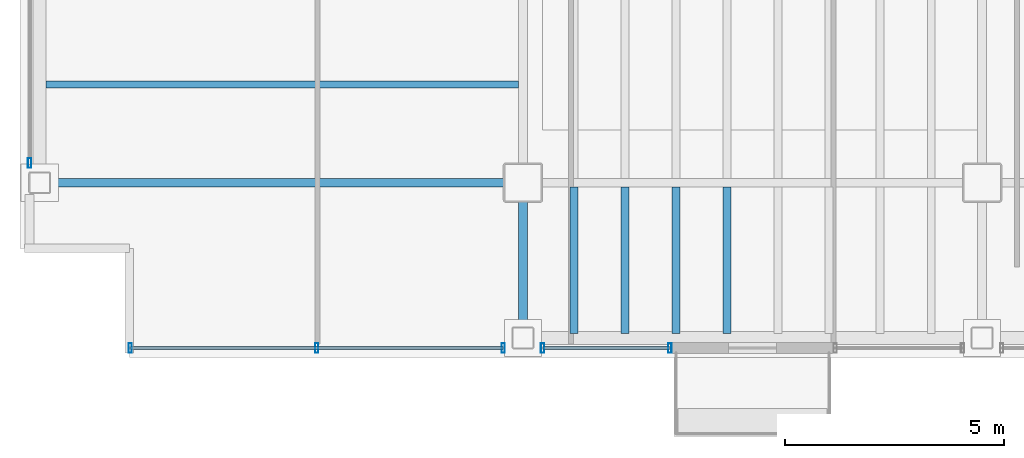
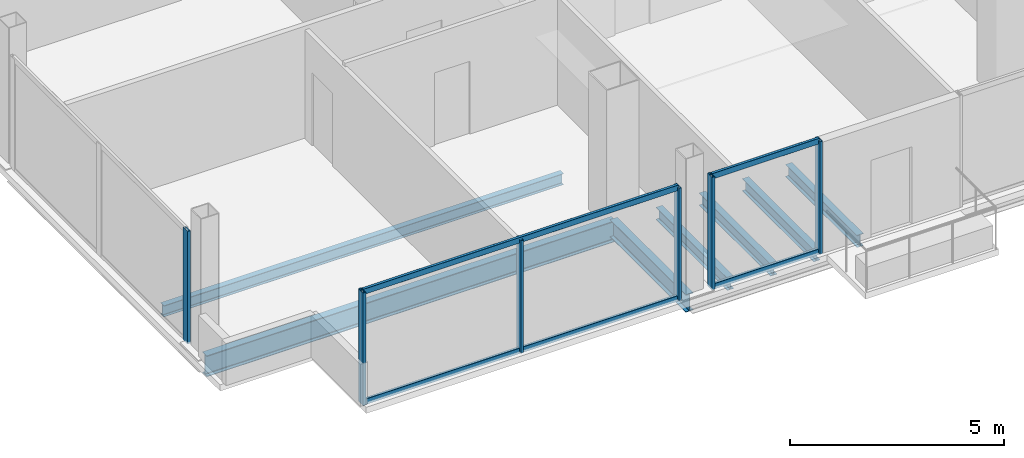
# One storey, part 2 of 19: 10 members, 7 beams, 3 elements without a shape of their own.
"""IFC4 building model written with IfcOpenShell, lengths in metres."""

from ifc_helpers import new_model, si_unit, direction, frame, origin, origin_2d, place, context, subcontext, project, spatial, hollow_rectangle, i_section, extrude, material, material_profile, profile_set, type_object, element, aggregate, save


model = new_model("IFC4")

# Units and contexts
model_context = context("Model", 3, precision=1e-05, world=origin(), true_north=direction((0.0, 1.0)))
body_context = subcontext(model_context, "Body", "Model", "MODEL_VIEW")
ifc_project = project(units=[si_unit("LENGTHUNIT", "METRE"), si_unit("AREAUNIT", "SQUARE_METRE"), si_unit("VOLUMEUNIT", "CUBIC_METRE"), si_unit("PLANEANGLEUNIT", "RADIAN"), si_unit("MASSUNIT", "GRAM", prefix="KILO")], contexts=[model_context])

# Site, building, storey
site_placement = place(None, origin())
site = spatial("IfcSite", under=ifc_project, at=site_placement, CompositionType="ELEMENT")
building_placement = place(site_placement, origin())
building = spatial("IfcBuilding", under=site, at=building_placement, Name="Noeulbin Bourse Tower", CompositionType="ELEMENT")
storey_placement = place(building_placement, frame((0.0, 0.0, 157.800048828125)))
storey = spatial("IfcBuildingStorey", under=building, at=storey_placement, Name="L39", CompositionType="ELEMENT", Elevation=157.800048828125)

# Beams
ifc_material_1 = material(Name="Steel S355", Category="steel")
ifc_material_profile_1 = material_profile(ifc_material_1, i_section(OverallWidth=0.199951171875, OverallDepth=0.5, WebThickness=0.010009765625, FlangeThickness=0.01611328125, FilletRadius=0.02001953125, at=origin_2d()), Name="H-500x200x10x16", Category="LoadBearing")
ifc_profile_set_1 = profile_set([ifc_material_profile_1], Name="Steel S355")
beam_type_1 = type_object("IfcBeamType", Name="BM-GRD-500", PredefinedType="USERDEFINED", material=ifc_profile_set_1)
beam_1_placement = place(storey_placement, frame((13.5, 16.449951171875, -0.429931640625), z_axis=(0.0, 1.0, 0.0), x_axis=(-1.0, 0.0, 0.0)))
element("IfcBeam", 1, at=beam_1_placement, inside=storey, type_object=beam_type_1, Name="Tower Primary Girder NS L39-1.1", ObjectType="GIRDER", PredefinedType="USERDEFINED", context=body_context, shape_type="SweptSolid", body=[
    extrude(i_section(OverallWidth=0.199951171875, OverallDepth=0.5, WebThickness=0.010009765625, FlangeThickness=0.01611328125, FilletRadius=0.02001953125, at=origin_2d()), origin(), (0.0, 0.0, 1.0), 3.550048828125),
])
ifc_material_profile_2 = material_profile(ifc_material_1, i_section(OverallWidth=0.199951171875, OverallDepth=0.60009765625, WebThickness=0.010986328125, FlangeThickness=0.01708984375, FilletRadius=0.02197265625, at=origin_2d()), Name="H-600x200x11x17", Category="LoadBearing")
ifc_profile_set_2 = profile_set([ifc_material_profile_2], Name="Steel S355")
beam_type_2 = type_object("IfcBeamType", Name="BM-GRD-600", PredefinedType="USERDEFINED", material=ifc_profile_set_2)
beam_2_placement = place(storey_placement, frame((2.449951171875, 20.0, -0.47998046875), z_axis=(1.0, 0.0, 0.0), x_axis=(0.0, 1.0, 0.0)))
element("IfcBeam", 2, at=beam_2_placement, inside=storey, type_object=beam_type_2, Name="Tower Primary Girder EW L39-1.1", ObjectType="GIRDER", PredefinedType="USERDEFINED", context=body_context, shape_type="SweptSolid", body=[
    extrude(i_section(OverallWidth=0.199951171875, OverallDepth=0.60009765625, WebThickness=0.010986328125, FlangeThickness=0.01708984375, FilletRadius=0.02197265625, at=origin_2d()), origin(), (0.0, 0.0, 1.0), 11.050048828125),
])
ifc_material_profile_3 = material_profile(ifc_material_1, i_section(OverallWidth=0.159912109375, OverallDepth=0.320068359375, WebThickness=0.006591796875, FlangeThickness=0.010009765625, FilletRadius=0.012939453125, at=origin_2d()), Name="H-320x160x6.5x10", Category="LoadBearing")
ifc_profile_set_3 = profile_set([ifc_material_profile_3], Name="Steel S355")
beam_type_3 = type_object("IfcBeamType", Name="BM-JST-320", PredefinedType="JOIST", material=ifc_profile_set_3)
beam_3_placement = place(storey_placement, frame((2.60009765625, 22.25, -0.340087890625), z_axis=(1.0, 0.0, 0.0), x_axis=(0.0, 1.0, 0.0)))
element("IfcBeam", 3, at=beam_3_placement, inside=storey, type_object=beam_type_3, Name="Wing Composite Joist L39-W70", PredefinedType="JOIST", context=body_context, shape_type="SweptSolid", body=[
    extrude(i_section(OverallWidth=0.159912109375, OverallDepth=0.320068359375, WebThickness=0.006591796875, FlangeThickness=0.010009765625, FilletRadius=0.012939453125, at=origin_2d()), origin(), (0.0, 0.0, 1.0), 10.7998046875),
])
ifc_material_profile_4 = material_profile(ifc_material_1, i_section(OverallWidth=0.175048828125, OverallDepth=0.35009765625, WebThickness=0.007080078125, FlangeThickness=0.010986328125, FilletRadius=0.013916015625, at=origin_2d()), Name="H-350x175x7x11", Category="LoadBearing")
ifc_profile_set_4 = profile_set([ifc_material_profile_4], Name="Steel S355")
beam_type_4 = type_object("IfcBeamType", Name="BM-JST-350", PredefinedType="JOIST", material=ifc_profile_set_4)
for number, where, z_axis, x_axis, name in (
    (4, (14.666748046875, 16.550048828125, -0.35498046875), (0.0, 1.0, 0.0), (-1.0, 0.0, 0.0), "Tower Composite Joist L39-01"),
    (5, (15.833251953125, 16.550048828125, -0.35498046875), (0.0, 1.0, 0.0), (-1.0, 0.0, 0.0), "Tower Composite Joist L39-04"),
    (6, (17.0, 16.550048828125, -0.35498046875), (0.0, 1.0, 0.0), (-1.0, 0.0, 0.0), "Tower Composite Joist L39-07"),
    (7, (18.166748046875, 16.550048828125, -0.35498046875), (0.0, 1.0, 0.0), (-1.0, 0.0, 0.0), "Tower Composite Joist L39-10"),
):
    element("IfcBeam", number, at=place(storey_placement, frame(where, z_axis=z_axis, x_axis=x_axis)), inside=storey, type_object=beam_type_4, Name=name, PredefinedType="JOIST", context=body_context, shape_type="SweptSolid", body=[
        extrude(i_section(OverallWidth=0.175048828125, OverallDepth=0.35009765625, WebThickness=0.007080078125, FlangeThickness=0.010986328125, FilletRadius=0.013916015625, at=origin_2d()), origin(), (0.0, 0.0, 1.0), 3.349853515625),
    ])

# Curtain wall, members
ifc_material_2 = material(Name="Dark Tinted Triple Glazing", Category="glass")
curtain_wall_type = type_object("IfcCurtainWallType", Name="CW-SYS-3", PredefinedType="NOTDEFINED", material=ifc_material_2)
curtain_wall_1_placement = place(storey_placement, origin())
curtain_wall_1 = element("IfcCurtainWall", 8, at=curtain_wall_1_placement, inside=storey, type_object=curtain_wall_type, Name="Unitised Curtain Wall CW-L39-S1-S1", PredefinedType="NOTDEFINED")
ifc_material_3 = material(Name="Anodised Aluminium 6063-T6", Category="aluminium")
ifc_material_profile_5 = material_profile(ifc_material_3, hollow_rectangle(XDim=0.074951171875, YDim=0.219970703125, WallThickness=0.0048828125, InnerFilletRadius=0.00244140625, OuterFilletRadius=0.0048828125, at=origin_2d()), Name="ALU-MULL-75x220x5", Category="LoadBearing")
ifc_profile_set_5 = profile_set([ifc_material_profile_5], Name="Anodised Aluminium 6063-T6")
member_type_1 = type_object("IfcMemberType", Name="CW-SYS-3-MUL", PredefinedType="MULLION", material=ifc_profile_set_5)
member_1_placement = place(storey_placement, frame((4.52001953125, 16.219970703125, -0.02001953125), z_axis=(0.0, 0.0, 1.0), x_axis=(1.0, 0.0, 0.0)))
member_1 = element("IfcMember", 9, at=member_1_placement, type_object=member_type_1, Name="Curtain Wall Mullion CW-L39-S1-S1-M00", PredefinedType="MULLION", context=body_context, shape_type="SweptSolid", body=[
    extrude(hollow_rectangle(XDim=0.074951171875, YDim=0.219970703125, WallThickness=0.0048828125, InnerFilletRadius=0.00244140625, OuterFilletRadius=0.0048828125, at=origin_2d()), origin(), (0.0, 0.0, 1.0), 3.219970703125),
])
member_2_placement = place(storey_placement, frame((8.784912109375, 16.219970703125, -0.02001953125), z_axis=(0.0, 0.0, 1.0), x_axis=(1.0, 0.0, 0.0)))
member_2 = element("IfcMember", 10, at=member_2_placement, type_object=member_type_1, Name="Curtain Wall Mullion CW-L39-S1-S1-M01", PredefinedType="MULLION", context=body_context, shape_type="SweptSolid", body=[
    extrude(hollow_rectangle(XDim=0.074951171875, YDim=0.219970703125, WallThickness=0.0048828125, InnerFilletRadius=0.00244140625, OuterFilletRadius=0.0048828125, at=origin_2d()), origin(), (0.0, 0.0, 1.0), 3.219970703125),
])
member_3_placement = place(storey_placement, frame((13.050048828125, 16.219970703125, -0.02001953125), z_axis=(0.0, 0.0, 1.0), x_axis=(1.0, 0.0, 0.0)))
member_3 = element("IfcMember", 11, at=member_3_placement, type_object=member_type_1, Name="Curtain Wall Mullion CW-L39-S1-S1-M02", PredefinedType="MULLION", context=body_context, shape_type="SweptSolid", body=[
    extrude(hollow_rectangle(XDim=0.074951171875, YDim=0.219970703125, WallThickness=0.0048828125, InnerFilletRadius=0.00244140625, OuterFilletRadius=0.0048828125, at=origin_2d()), origin(), (0.0, 0.0, 1.0), 3.219970703125),
])

curtain_wall_2_placement = place(storey_placement, origin())
curtain_wall_2 = element("IfcCurtainWall", 12, at=curtain_wall_2_placement, inside=storey, type_object=curtain_wall_type, Name="Unitised Curtain Wall CW-L39-S1-S2", PredefinedType="NOTDEFINED")
member_4_placement = place(storey_placement, frame((13.949951171875, 16.219970703125, -0.02001953125), z_axis=(0.0, 0.0, 1.0), x_axis=(1.0, 0.0, 0.0)))
member_4 = element("IfcMember", 13, at=member_4_placement, type_object=member_type_1, Name="Curtain Wall Mullion CW-L39-S1-S2-M00", PredefinedType="MULLION", context=body_context, shape_type="SweptSolid", body=[
    extrude(hollow_rectangle(XDim=0.074951171875, YDim=0.219970703125, WallThickness=0.0048828125, InnerFilletRadius=0.00244140625, OuterFilletRadius=0.0048828125, at=origin_2d()), origin(), (0.0, 0.0, 1.0), 3.219970703125),
])
member_5_placement = place(storey_placement, frame((16.860107421875, 16.219970703125, -0.02001953125), z_axis=(0.0, 0.0, 1.0), x_axis=(1.0, 0.0, 0.0)))
member_5 = element("IfcMember", 14, at=member_5_placement, type_object=member_type_1, Name="Curtain Wall Mullion CW-L39-S1-S2-M01", PredefinedType="MULLION", context=body_context, shape_type="SweptSolid", body=[
    extrude(hollow_rectangle(XDim=0.074951171875, YDim=0.219970703125, WallThickness=0.0048828125, InnerFilletRadius=0.00244140625, OuterFilletRadius=0.0048828125, at=origin_2d()), origin(), (0.0, 0.0, 1.0), 3.219970703125),
])

# Curtain wall, member
curtain_wall_3_placement = place(storey_placement, origin())
curtain_wall_3 = element("IfcCurtainWall", 15, at=curtain_wall_3_placement, inside=storey, type_object=curtain_wall_type, Name="Unitised Curtain Wall CW-L39-W-S1", PredefinedType="NOTDEFINED")
member_6_placement = place(storey_placement, frame((2.219970703125, 20.449951171875, -0.02001953125), z_axis=(0.0, 0.0, 1.0), x_axis=(1.0, 0.0, 0.0)))
member_6 = element("IfcMember", 16, at=member_6_placement, type_object=member_type_1, Name="Curtain Wall Mullion CW-L39-W-S1-M00", PredefinedType="MULLION", context=body_context, shape_type="SweptSolid", body=[
    extrude(hollow_rectangle(XDim=0.074951171875, YDim=0.219970703125, WallThickness=0.0048828125, InnerFilletRadius=0.00244140625, OuterFilletRadius=0.0048828125, at=origin_2d()), origin(), (0.0, 0.0, 1.0), 3.219970703125),
])
aggregate(curtain_wall_3, [member_6])

# Member
ifc_material_profile_6 = material_profile(ifc_material_3, hollow_rectangle(XDim=0.074951171875, YDim=0.159912109375, WallThickness=0.0048828125, InnerFilletRadius=0.00244140625, OuterFilletRadius=0.0048828125, at=origin_2d()), Name="ALU-TRAN-75x160x5", Category="LoadBearing")
ifc_profile_set_6 = profile_set([ifc_material_profile_6], Name="Anodised Aluminium 6063-T6")
member_type_2 = type_object("IfcMemberType", Name="CW-SYS-3-TRN", PredefinedType="USERDEFINED", material=ifc_profile_set_6)
member_7_placement = place(storey_placement, frame((4.530029296875, 16.219970703125, 0.010009765625), z_axis=(1.0, 0.0, 0.0), x_axis=(0.0, 1.0, 0.0)))
member_7 = element("IfcMember", 17, at=member_7_placement, type_object=member_type_2, Name="Curtain Wall Transom CW-L39-S1-S1-T00", ObjectType="TRANSOM", PredefinedType="USERDEFINED", context=body_context, shape_type="SweptSolid", body=[
    extrude(hollow_rectangle(XDim=0.074951171875, YDim=0.159912109375, WallThickness=0.0048828125, InnerFilletRadius=0.00244140625, OuterFilletRadius=0.0048828125, at=origin_2d()), origin(), (0.0, 0.0, 1.0), 8.510009765625),
])

member_8_placement = place(storey_placement, frame((4.530029296875, 16.219970703125, 3.169921875), z_axis=(1.0, 0.0, 0.0), x_axis=(0.0, 1.0, 0.0)))
member_8 = element("IfcMember", 18, at=member_8_placement, type_object=member_type_2, Name="Curtain Wall Transom CW-L39-S1-S1-T01", ObjectType="TRANSOM", PredefinedType="USERDEFINED", context=body_context, shape_type="SweptSolid", body=[
    extrude(hollow_rectangle(XDim=0.074951171875, YDim=0.159912109375, WallThickness=0.0048828125, InnerFilletRadius=0.00244140625, OuterFilletRadius=0.0048828125, at=origin_2d()), origin(), (0.0, 0.0, 1.0), 8.510009765625),
])

aggregate(curtain_wall_1, [member_1, member_2, member_3, member_7, member_8])

member_9_placement = place(storey_placement, frame((13.9599609375, 16.219970703125, 0.010009765625), z_axis=(1.0, 0.0, 0.0), x_axis=(0.0, 1.0, 0.0)))
member_9 = element("IfcMember", 19, at=member_9_placement, type_object=member_type_2, Name="Curtain Wall Transom CW-L39-S1-S2-T00", ObjectType="TRANSOM", PredefinedType="USERDEFINED", context=body_context, shape_type="SweptSolid", body=[
    extrude(hollow_rectangle(XDim=0.074951171875, YDim=0.159912109375, WallThickness=0.0048828125, InnerFilletRadius=0.00244140625, OuterFilletRadius=0.0048828125, at=origin_2d()), origin(), (0.0, 0.0, 1.0), 2.89013671875),
])

member_10_placement = place(storey_placement, frame((13.9599609375, 16.219970703125, 3.169921875), z_axis=(1.0, 0.0, 0.0), x_axis=(0.0, 1.0, 0.0)))
member_10 = element("IfcMember", 20, at=member_10_placement, type_object=member_type_2, Name="Curtain Wall Transom CW-L39-S1-S2-T01", ObjectType="TRANSOM", PredefinedType="USERDEFINED", context=body_context, shape_type="SweptSolid", body=[
    extrude(hollow_rectangle(XDim=0.074951171875, YDim=0.159912109375, WallThickness=0.0048828125, InnerFilletRadius=0.00244140625, OuterFilletRadius=0.0048828125, at=origin_2d()), origin(), (0.0, 0.0, 1.0), 2.89013671875),
])

aggregate(curtain_wall_2, [member_4, member_5, member_9, member_10])

save(model, "model.ifc")
